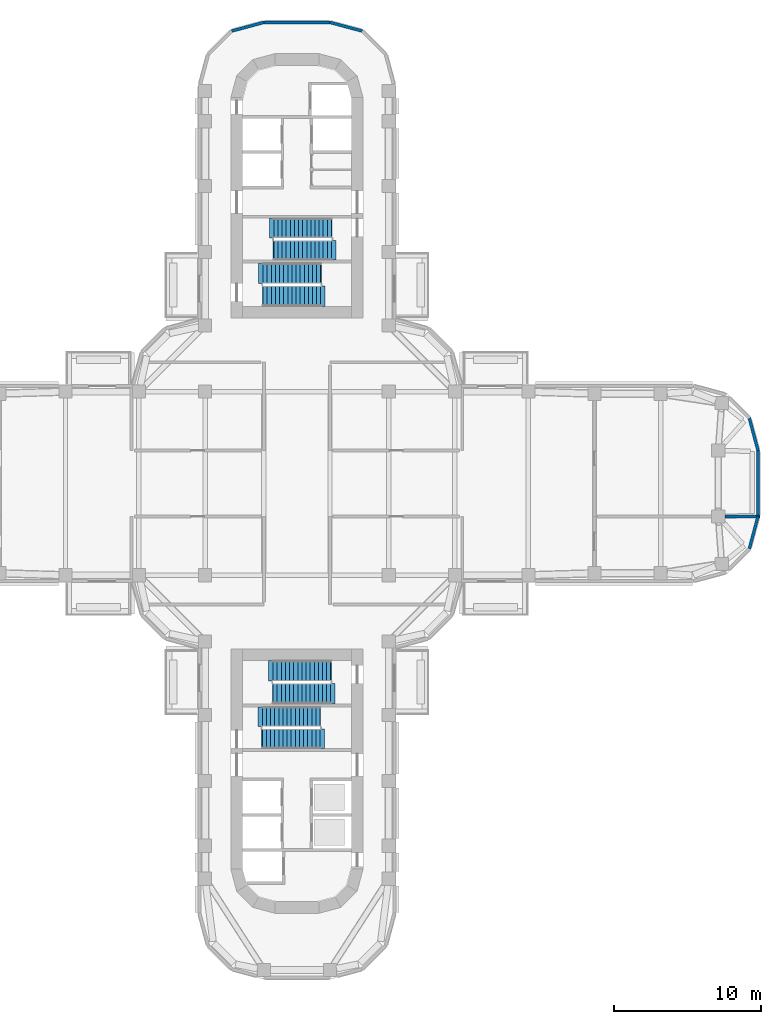
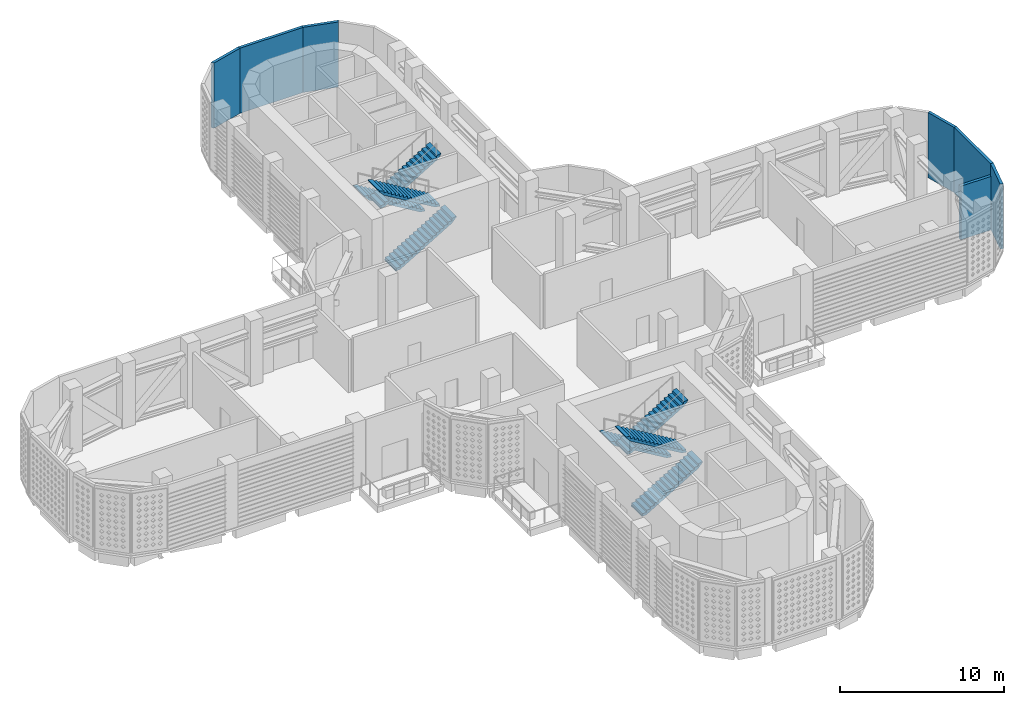
# One storey, part 8 of 20: 8 stair flights, 7 walls, 4 elements without a shape of their own.
"""IFC4 building model written with IfcOpenShell, lengths in metres."""

from ifc_helpers import new_model, si_unit, direction, frame, frame_2d, origin, place, context, subcontext, project, spatial, polyline, rectangle, outline, extrude, material, layer, layer_set, type_object, element, aggregate, save


model = new_model("IFC4")

# Units and contexts
model_context = context("Model", 3, precision=1e-05, world=origin(), true_north=direction((0.0, 1.0)))
body_context = subcontext(model_context, "Body", "Model", "MODEL_VIEW")
ifc_project = project(units=[si_unit("LENGTHUNIT", "METRE"), si_unit("AREAUNIT", "SQUARE_METRE"), si_unit("VOLUMEUNIT", "CUBIC_METRE"), si_unit("PLANEANGLEUNIT", "RADIAN"), si_unit("MASSUNIT", "GRAM", prefix="KILO")], contexts=[model_context])

# Site, building, storey
site_placement = place(None, origin())
site = spatial("IfcSite", under=ifc_project, at=site_placement, CompositionType="ELEMENT")
building_placement = place(site_placement, origin())
building = spatial("IfcBuilding", under=site, at=building_placement, Name="Zarbagh Exchange Tower", CompositionType="ELEMENT")
storey_placement = place(building_placement, frame((0.0, 0.0, 136.0)))
storey = spatial("IfcBuildingStorey", under=building, at=storey_placement, Name="L32", CompositionType="ELEMENT", Elevation=136.0)

# Walls
ifc_material_1 = material(Name="Concrete block partition", Category="concrete")
ifc_layer_1 = layer(ifc_material_1, 0.199951171875)
ifc_layer_set_1 = layer_set([ifc_layer_1], Name="Fire-rated block partition 200 EI 120")
wall_type_1 = type_object("IfcWallType", Name="Fire-rated block partition 200 EI 120", PredefinedType="PARTITIONING", material=ifc_layer_set_1)
wall_1_placement = place(storey_placement, frame((29.1201171875, -2.25, 0.0), z_axis=(0.0, 0.0, 1.0), x_axis=(1.0, 0.0, 0.0)))
element("IfcWall", 1, at=wall_1_placement, inside=storey, type_object=wall_type_1, Name="WL-L32-W020", PredefinedType="PARTITIONING", context=body_context, shape_type="SweptSolid", body=[
    extrude(rectangle(XDim=2.3798828125, YDim=0.199951171875, at=frame_2d((1.18994140625, 0.0))), origin(), (0.0, 0.0, 1.0), 3.994384765625),
])
ifc_material_2 = material(Name="Precast concrete C50/60", Category="concrete")
ifc_layer_2 = layer(ifc_material_2, 0.199951171875)
ifc_layer_set_2 = layer_set([ifc_layer_2], Name="Plant wall, precast concrete C50/60")
wall_type_2 = type_object("IfcWallType", Name="Plant wall, precast concrete C50/60", PredefinedType="SOLIDWALL", material=ifc_layer_set_2)
wall_2_placement = place(storey_placement, origin())
element("IfcWall", 2, at=wall_2_placement, inside=storey, type_object=wall_type_2, Name="PW52 plant wall", PredefinedType="SOLIDWALL", context=body_context, shape_type="SweptSolid", body=[
    extrude(outline(polyline([(30.879150390625, -4.48974609375), (31.47998046875, -2.247314453125), (31.280029296875, -2.220947265625), (30.699951171875, -4.38623046875), (30.879150390625, -4.48974609375)])), origin(), (0.0, 0.0, 1.0), 4.85009765625),
])
wall_3_placement = place(storey_placement, origin())
element("IfcWall", 3, at=wall_3_placement, inside=storey, type_object=wall_type_2, Name="PW53 plant wall", PredefinedType="SOLIDWALL", context=body_context, shape_type="SweptSolid", body=[
    extrude(outline(polyline([(31.47998046875, -2.247314453125), (31.47998046875, 2.247314453125), (31.280029296875, 2.220947265625), (31.280029296875, -2.220947265625), (31.47998046875, -2.247314453125)])), origin(), (0.0, 0.0, 1.0), 4.85009765625),
])
wall_4_placement = place(storey_placement, origin())
element("IfcWall", 4, at=wall_4_placement, inside=storey, type_object=wall_type_2, Name="PW54 plant wall", PredefinedType="SOLIDWALL", context=body_context, shape_type="SweptSolid", body=[
    extrude(outline(polyline([(31.47998046875, 2.247314453125), (30.879150390625, 4.48974609375), (30.699951171875, 4.38623046875), (31.280029296875, 2.220947265625), (31.47998046875, 2.247314453125)])), origin(), (0.0, 0.0, 1.0), 4.85009765625),
])
wall_5_placement = place(storey_placement, origin())
element("IfcWall", 5, at=wall_5_placement, inside=storey, type_object=wall_type_2, Name="PW61 plant wall", PredefinedType="SOLIDWALL", context=body_context, shape_type="SweptSolid", body=[
    extrude(outline(polyline([(4.48974609375, 30.879150390625), (2.247314453125, 31.47998046875), (2.220947265625, 31.280029296875), (4.38623046875, 30.699951171875), (4.48974609375, 30.879150390625)])), origin(), (0.0, 0.0, 1.0), 4.85009765625),
])
wall_6_placement = place(storey_placement, origin())
element("IfcWall", 6, at=wall_6_placement, inside=storey, type_object=wall_type_2, Name="PW62 plant wall", PredefinedType="SOLIDWALL", context=body_context, shape_type="SweptSolid", body=[
    extrude(outline(polyline([(2.247314453125, 31.47998046875), (-2.247314453125, 31.47998046875), (-2.220947265625, 31.280029296875), (2.220947265625, 31.280029296875), (2.247314453125, 31.47998046875)])), origin(), (0.0, 0.0, 1.0), 4.85009765625),
])
wall_7_placement = place(storey_placement, origin())
element("IfcWall", 7, at=wall_7_placement, inside=storey, type_object=wall_type_2, Name="PW63 plant wall", PredefinedType="SOLIDWALL", context=body_context, shape_type="SweptSolid", body=[
    extrude(outline(polyline([(-2.247314453125, 31.47998046875), (-4.48974609375, 30.879150390625), (-4.38623046875, 30.699951171875), (-2.220947265625, 31.280029296875), (-2.247314453125, 31.47998046875)])), origin(), (0.0, 0.0, 1.0), 4.85009765625),
])

# Stair, stair flights
ifc_material_3 = material(Name="Concrete C40/50", Category="concrete")
stair_type = type_object("IfcStairType", Name="Exit stair two-flight half-turn", PredefinedType="HALF_TURN_STAIR", material=ifc_material_3)
stair_1_placement = place(storey_placement, origin())
stair_1 = element("IfcStair", 8, at=stair_1_placement, inside=storey, type_object=stair_type, Name="exit stair ST1", PredefinedType="HALF_TURN_STAIR")
stair_flight_type_1 = type_object("IfcStairFlightType", Name="Stair flight 1350 mm", PredefinedType="STRAIGHT", material=ifc_material_3)
stair_flight_1_placement = place(storey_placement, frame((2.35009765625, 17.375, 0.0), z_axis=(0.0, 0.0, 1.0), x_axis=(-1.0, 0.0, 0.0)))
stair_flight_1 = element("IfcStairFlight", 9, at=stair_flight_1_placement, type_object=stair_flight_type_1, Name="ST1 flight 1", NumberOfRisers=15, NumberOfTreads=14, PredefinedType="STRAIGHT", RiserHeight=0.166666667, TreadLength=0.28, context=body_context, shape_type="SweptSolid", body=[
    extrude(outline(polyline([(-0.050048828125, -0.050048828125), (-0.050048828125, 0.0), (0.0, 0.0), (0.0, 0.166748046875), (0.280029296875, 0.166748046875), (0.280029296875, 0.333251953125), (0.56005859375, 0.333251953125), (0.56005859375, 0.5), (0.840087890625, 0.5), (0.840087890625, 0.666748046875), (1.1201171875, 0.666748046875), (1.1201171875, 0.833251953125), (1.39990234375, 0.833251953125), (1.39990234375, 1.0), (1.679931640625, 1.0), (1.679931640625, 1.166748046875), (1.9599609375, 1.166748046875), (1.9599609375, 1.333251953125), (2.239990234375, 1.333251953125), (2.239990234375, 1.5), (2.52001953125, 1.5), (2.52001953125, 1.666748046875), (2.800048828125, 1.666748046875), (2.800048828125, 1.833251953125), (3.080078125, 1.833251953125), (3.080078125, 2.0), (3.360107421875, 2.0), (3.360107421875, 2.166748046875), (3.639892578125, 2.166748046875), (3.639892578125, 2.333251953125), (3.919921875, 2.333251953125), (3.919921875, 2.5), (4.219970703125, 2.580078125), (4.219970703125, 2.5), (3.919921875, 2.158935546875), (0.29296875, 0.0), (-0.050048828125, -0.050048828125)])), frame((0.0, 0.675048828125, 0.0), z_axis=(0.0, -1.0, 0.0), x_axis=(1.0, 0.0, 0.0)), (0.0, 0.0, 1.0), 1.35009765625),
])
stair_flight_2_placement = place(storey_placement, frame((-1.570068359375, 15.875, 2.5), z_axis=(0.0, 0.0, 1.0), x_axis=(1.0, 0.0, 0.0)))
stair_flight_2 = element("IfcStairFlight", 10, at=stair_flight_2_placement, type_object=stair_flight_type_1, Name="ST1 flight 2", NumberOfRisers=15, NumberOfTreads=14, PredefinedType="STRAIGHT", RiserHeight=0.166666667, TreadLength=0.28, context=body_context, shape_type="SweptSolid", body=[
    extrude(outline(polyline([(-0.050048828125, -0.050048828125), (-0.050048828125, 0.0), (0.0, 0.0), (0.0, 0.166748046875), (0.280029296875, 0.166748046875), (0.280029296875, 0.333251953125), (0.56005859375, 0.333251953125), (0.56005859375, 0.5), (0.840087890625, 0.5), (0.840087890625, 0.666748046875), (1.1201171875, 0.666748046875), (1.1201171875, 0.833251953125), (1.39990234375, 0.833251953125), (1.39990234375, 1.0), (1.679931640625, 1.0), (1.679931640625, 1.166748046875), (1.9599609375, 1.166748046875), (1.9599609375, 1.333251953125), (2.239990234375, 1.333251953125), (2.239990234375, 1.5), (2.52001953125, 1.5), (2.52001953125, 1.666748046875), (2.800048828125, 1.666748046875), (2.800048828125, 1.833251953125), (3.080078125, 1.833251953125), (3.080078125, 2.0), (3.360107421875, 2.0), (3.360107421875, 2.166748046875), (3.639892578125, 2.166748046875), (3.639892578125, 2.333251953125), (3.919921875, 2.333251953125), (3.919921875, 2.5), (4.219970703125, 2.580078125), (4.219970703125, 2.5), (3.919921875, 2.158935546875), (0.29296875, 0.0), (-0.050048828125, -0.050048828125)])), frame((0.0, 0.675048828125, 0.0), z_axis=(0.0, -1.0, 0.0), x_axis=(1.0, 0.0, 0.0)), (0.0, 0.0, 1.0), 1.35009765625),
])
aggregate(stair_1, [stair_flight_1, stair_flight_2])

stair_2_placement = place(storey_placement, origin())
stair_2 = element("IfcStair", 11, at=stair_2_placement, inside=storey, type_object=stair_type, Name="exit stair ST3", PredefinedType="HALF_TURN_STAIR")
stair_flight_3_placement = place(storey_placement, frame((-2.35009765625, -17.375, 0.0), z_axis=(0.0, 0.0, 1.0), x_axis=(1.0, 0.0, 0.0)))
stair_flight_3 = element("IfcStairFlight", 12, at=stair_flight_3_placement, type_object=stair_flight_type_1, Name="ST3 flight 1", NumberOfRisers=15, NumberOfTreads=14, PredefinedType="STRAIGHT", RiserHeight=0.166666667, TreadLength=0.28, context=body_context, shape_type="SweptSolid", body=[
    extrude(outline(polyline([(-0.050048828125, -0.050048828125), (-0.050048828125, 0.0), (0.0, 0.0), (0.0, 0.166748046875), (0.280029296875, 0.166748046875), (0.280029296875, 0.333251953125), (0.56005859375, 0.333251953125), (0.56005859375, 0.5), (0.840087890625, 0.5), (0.840087890625, 0.666748046875), (1.1201171875, 0.666748046875), (1.1201171875, 0.833251953125), (1.39990234375, 0.833251953125), (1.39990234375, 1.0), (1.679931640625, 1.0), (1.679931640625, 1.166748046875), (1.9599609375, 1.166748046875), (1.9599609375, 1.333251953125), (2.239990234375, 1.333251953125), (2.239990234375, 1.5), (2.52001953125, 1.5), (2.52001953125, 1.666748046875), (2.800048828125, 1.666748046875), (2.800048828125, 1.833251953125), (3.080078125, 1.833251953125), (3.080078125, 2.0), (3.360107421875, 2.0), (3.360107421875, 2.166748046875), (3.639892578125, 2.166748046875), (3.639892578125, 2.333251953125), (3.919921875, 2.333251953125), (3.919921875, 2.5), (4.219970703125, 2.580078125), (4.219970703125, 2.5), (3.919921875, 2.158935546875), (0.29296875, 0.0), (-0.050048828125, -0.050048828125)])), frame((0.0, 0.675048828125, 0.0), z_axis=(0.0, -1.0, 0.0), x_axis=(1.0, 0.0, 0.0)), (0.0, 0.0, 1.0), 1.35009765625),
])
stair_flight_4_placement = place(storey_placement, frame((1.570068359375, -15.875, 2.5), z_axis=(0.0, 0.0, 1.0), x_axis=(-1.0, 0.0, 0.0)))
stair_flight_4 = element("IfcStairFlight", 13, at=stair_flight_4_placement, type_object=stair_flight_type_1, Name="ST3 flight 2", NumberOfRisers=15, NumberOfTreads=14, PredefinedType="STRAIGHT", RiserHeight=0.166666667, TreadLength=0.28, context=body_context, shape_type="SweptSolid", body=[
    extrude(outline(polyline([(-0.050048828125, -0.050048828125), (-0.050048828125, 0.0), (0.0, 0.0), (0.0, 0.166748046875), (0.280029296875, 0.166748046875), (0.280029296875, 0.333251953125), (0.56005859375, 0.333251953125), (0.56005859375, 0.5), (0.840087890625, 0.5), (0.840087890625, 0.666748046875), (1.1201171875, 0.666748046875), (1.1201171875, 0.833251953125), (1.39990234375, 0.833251953125), (1.39990234375, 1.0), (1.679931640625, 1.0), (1.679931640625, 1.166748046875), (1.9599609375, 1.166748046875), (1.9599609375, 1.333251953125), (2.239990234375, 1.333251953125), (2.239990234375, 1.5), (2.52001953125, 1.5), (2.52001953125, 1.666748046875), (2.800048828125, 1.666748046875), (2.800048828125, 1.833251953125), (3.080078125, 1.833251953125), (3.080078125, 2.0), (3.360107421875, 2.0), (3.360107421875, 2.166748046875), (3.639892578125, 2.166748046875), (3.639892578125, 2.333251953125), (3.919921875, 2.333251953125), (3.919921875, 2.5), (4.219970703125, 2.580078125), (4.219970703125, 2.5), (3.919921875, 2.158935546875), (0.29296875, 0.0), (-0.050048828125, -0.050048828125)])), frame((0.0, 0.675048828125, 0.0), z_axis=(0.0, -1.0, 0.0), x_axis=(1.0, 0.0, 0.0)), (0.0, 0.0, 1.0), 1.35009765625),
])
aggregate(stair_2, [stair_flight_3, stair_flight_4])

stair_3_placement = place(storey_placement, origin())
stair_3 = element("IfcStair", 14, at=stair_3_placement, inside=storey, type_object=stair_type, Name="exit stair ST2", PredefinedType="HALF_TURN_STAIR")
stair_flight_type_2 = type_object("IfcStairFlightType", Name="Stair flight 1400 mm", PredefinedType="STRAIGHT", material=ifc_material_3)
stair_flight_5_placement = place(storey_placement, frame((-2.300048828125, 12.75, 0.0), z_axis=(0.0, 0.0, 1.0), x_axis=(1.0, 0.0, 0.0)))
stair_flight_5 = element("IfcStairFlight", 15, at=stair_flight_5_placement, type_object=stair_flight_type_2, Name="ST2 flight 1", NumberOfRisers=15, NumberOfTreads=14, PredefinedType="STRAIGHT", RiserHeight=0.166666667, TreadLength=0.28, context=body_context, shape_type="SweptSolid", body=[
    extrude(outline(polyline([(-0.050048828125, -0.050048828125), (-0.050048828125, 0.0), (0.0, 0.0), (0.0, 0.166748046875), (0.280029296875, 0.166748046875), (0.280029296875, 0.333251953125), (0.56005859375, 0.333251953125), (0.56005859375, 0.5), (0.840087890625, 0.5), (0.840087890625, 0.666748046875), (1.1201171875, 0.666748046875), (1.1201171875, 0.833251953125), (1.39990234375, 0.833251953125), (1.39990234375, 1.0), (1.679931640625, 1.0), (1.679931640625, 1.166748046875), (1.9599609375, 1.166748046875), (1.9599609375, 1.333251953125), (2.239990234375, 1.333251953125), (2.239990234375, 1.5), (2.52001953125, 1.5), (2.52001953125, 1.666748046875), (2.800048828125, 1.666748046875), (2.800048828125, 1.833251953125), (3.080078125, 1.833251953125), (3.080078125, 2.0), (3.360107421875, 2.0), (3.360107421875, 2.166748046875), (3.639892578125, 2.166748046875), (3.639892578125, 2.333251953125), (3.919921875, 2.333251953125), (3.919921875, 2.5), (4.219970703125, 2.580078125), (4.219970703125, 2.5), (3.919921875, 2.158935546875), (0.29296875, 0.0), (-0.050048828125, -0.050048828125)])), frame((0.0, 0.699951171875, 0.0), z_axis=(0.0, -1.0, 0.0), x_axis=(1.0, 0.0, 0.0)), (0.0, 0.0, 1.0), 1.39990234375),
])
stair_flight_6_placement = place(storey_placement, frame((1.6201171875, 14.300048828125, 2.5), z_axis=(0.0, 0.0, 1.0), x_axis=(-1.0, 0.0, 0.0)))
stair_flight_6 = element("IfcStairFlight", 16, at=stair_flight_6_placement, type_object=stair_flight_type_2, Name="ST2 flight 2", NumberOfRisers=15, NumberOfTreads=14, PredefinedType="STRAIGHT", RiserHeight=0.166666667, TreadLength=0.28, context=body_context, shape_type="SweptSolid", body=[
    extrude(outline(polyline([(-0.050048828125, -0.050048828125), (-0.050048828125, 0.0), (0.0, 0.0), (0.0, 0.166748046875), (0.280029296875, 0.166748046875), (0.280029296875, 0.333251953125), (0.56005859375, 0.333251953125), (0.56005859375, 0.5), (0.840087890625, 0.5), (0.840087890625, 0.666748046875), (1.1201171875, 0.666748046875), (1.1201171875, 0.833251953125), (1.39990234375, 0.833251953125), (1.39990234375, 1.0), (1.679931640625, 1.0), (1.679931640625, 1.166748046875), (1.9599609375, 1.166748046875), (1.9599609375, 1.333251953125), (2.239990234375, 1.333251953125), (2.239990234375, 1.5), (2.52001953125, 1.5), (2.52001953125, 1.666748046875), (2.800048828125, 1.666748046875), (2.800048828125, 1.833251953125), (3.080078125, 1.833251953125), (3.080078125, 2.0), (3.360107421875, 2.0), (3.360107421875, 2.166748046875), (3.639892578125, 2.166748046875), (3.639892578125, 2.333251953125), (3.919921875, 2.333251953125), (3.919921875, 2.5), (4.219970703125, 2.580078125), (4.219970703125, 2.5), (3.919921875, 2.158935546875), (0.29296875, 0.0), (-0.050048828125, -0.050048828125)])), frame((0.0, 0.699951171875, 0.0), z_axis=(0.0, -1.0, 0.0), x_axis=(1.0, 0.0, 0.0)), (0.0, 0.0, 1.0), 1.39990234375),
])
aggregate(stair_3, [stair_flight_5, stair_flight_6])

stair_4_placement = place(storey_placement, origin())
stair_4 = element("IfcStair", 17, at=stair_4_placement, inside=storey, type_object=stair_type, Name="exit stair ST4", PredefinedType="HALF_TURN_STAIR")
stair_flight_7_placement = place(storey_placement, frame((2.300048828125, -12.75, 0.0), z_axis=(0.0, 0.0, 1.0), x_axis=(-1.0, 0.0, 0.0)))
stair_flight_7 = element("IfcStairFlight", 18, at=stair_flight_7_placement, type_object=stair_flight_type_2, Name="ST4 flight 1", NumberOfRisers=15, NumberOfTreads=14, PredefinedType="STRAIGHT", RiserHeight=0.166666667, TreadLength=0.28, context=body_context, shape_type="SweptSolid", body=[
    extrude(outline(polyline([(-0.050048828125, -0.050048828125), (-0.050048828125, 0.0), (0.0, 0.0), (0.0, 0.166748046875), (0.280029296875, 0.166748046875), (0.280029296875, 0.333251953125), (0.56005859375, 0.333251953125), (0.56005859375, 0.5), (0.840087890625, 0.5), (0.840087890625, 0.666748046875), (1.1201171875, 0.666748046875), (1.1201171875, 0.833251953125), (1.39990234375, 0.833251953125), (1.39990234375, 1.0), (1.679931640625, 1.0), (1.679931640625, 1.166748046875), (1.9599609375, 1.166748046875), (1.9599609375, 1.333251953125), (2.239990234375, 1.333251953125), (2.239990234375, 1.5), (2.52001953125, 1.5), (2.52001953125, 1.666748046875), (2.800048828125, 1.666748046875), (2.800048828125, 1.833251953125), (3.080078125, 1.833251953125), (3.080078125, 2.0), (3.360107421875, 2.0), (3.360107421875, 2.166748046875), (3.639892578125, 2.166748046875), (3.639892578125, 2.333251953125), (3.919921875, 2.333251953125), (3.919921875, 2.5), (4.219970703125, 2.580078125), (4.219970703125, 2.5), (3.919921875, 2.158935546875), (0.29296875, 0.0), (-0.050048828125, -0.050048828125)])), frame((0.0, 0.699951171875, 0.0), z_axis=(0.0, -1.0, 0.0), x_axis=(1.0, 0.0, 0.0)), (0.0, 0.0, 1.0), 1.39990234375),
])
stair_flight_8_placement = place(storey_placement, frame((-1.6201171875, -14.300048828125, 2.5), z_axis=(0.0, 0.0, 1.0), x_axis=(1.0, 0.0, 0.0)))
stair_flight_8 = element("IfcStairFlight", 19, at=stair_flight_8_placement, type_object=stair_flight_type_2, Name="ST4 flight 2", NumberOfRisers=15, NumberOfTreads=14, PredefinedType="STRAIGHT", RiserHeight=0.166666667, TreadLength=0.28, context=body_context, shape_type="SweptSolid", body=[
    extrude(outline(polyline([(-0.050048828125, -0.050048828125), (-0.050048828125, 0.0), (0.0, 0.0), (0.0, 0.166748046875), (0.280029296875, 0.166748046875), (0.280029296875, 0.333251953125), (0.56005859375, 0.333251953125), (0.56005859375, 0.5), (0.840087890625, 0.5), (0.840087890625, 0.666748046875), (1.1201171875, 0.666748046875), (1.1201171875, 0.833251953125), (1.39990234375, 0.833251953125), (1.39990234375, 1.0), (1.679931640625, 1.0), (1.679931640625, 1.166748046875), (1.9599609375, 1.166748046875), (1.9599609375, 1.333251953125), (2.239990234375, 1.333251953125), (2.239990234375, 1.5), (2.52001953125, 1.5), (2.52001953125, 1.666748046875), (2.800048828125, 1.666748046875), (2.800048828125, 1.833251953125), (3.080078125, 1.833251953125), (3.080078125, 2.0), (3.360107421875, 2.0), (3.360107421875, 2.166748046875), (3.639892578125, 2.166748046875), (3.639892578125, 2.333251953125), (3.919921875, 2.333251953125), (3.919921875, 2.5), (4.219970703125, 2.580078125), (4.219970703125, 2.5), (3.919921875, 2.158935546875), (0.29296875, 0.0), (-0.050048828125, -0.050048828125)])), frame((0.0, 0.699951171875, 0.0), z_axis=(0.0, -1.0, 0.0), x_axis=(1.0, 0.0, 0.0)), (0.0, 0.0, 1.0), 1.39990234375),
])
aggregate(stair_4, [stair_flight_7, stair_flight_8])

save(model, "model.ifc")
